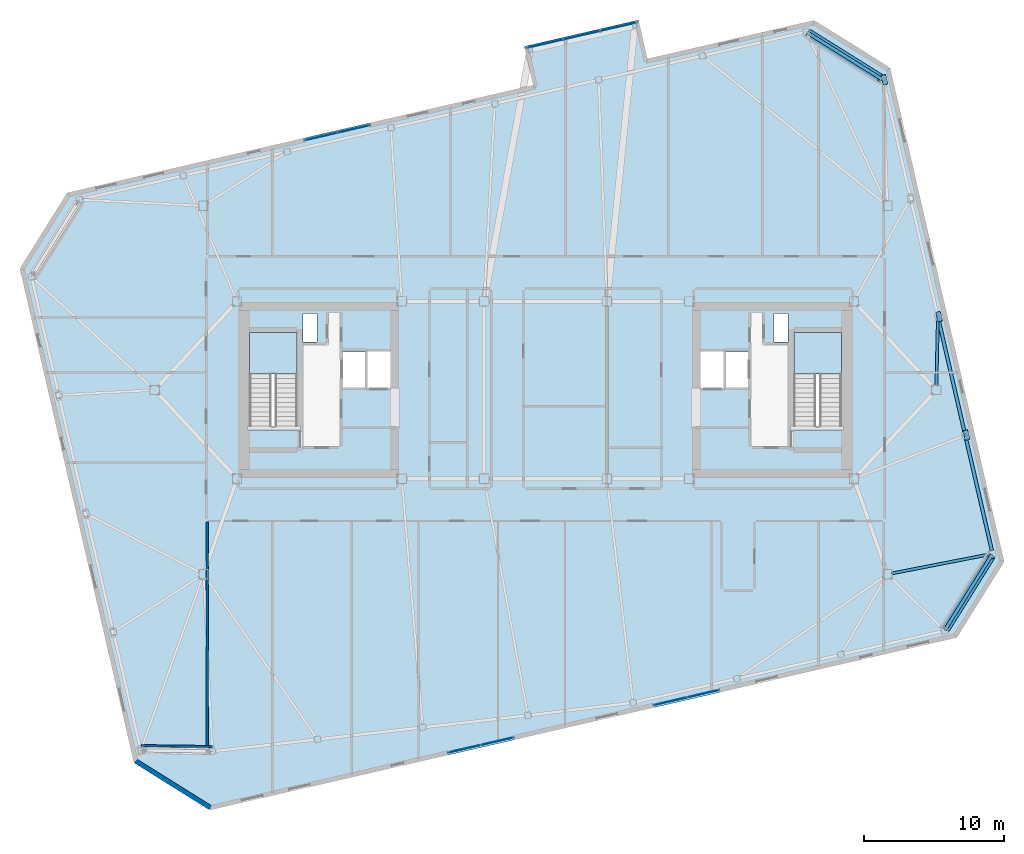
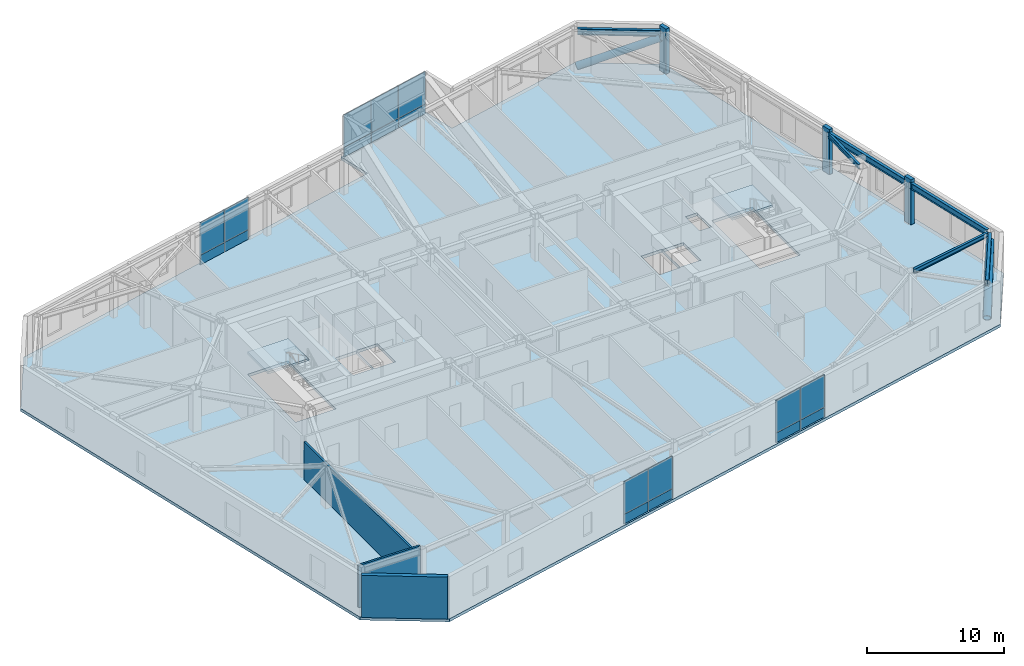
# One storey, part 16 of 24: 18 plates, 6 beams, 5 members, 3 slabs, 3 walls, 6 elements without a shape of their own.
"""IFC4 building model written with IfcOpenShell, lengths in metres."""

from ifc_helpers import new_model, si_unit, direction, frame, frame_2d, origin, origin_2d, place, context, subcontext, project, spatial, polyline, rectangle, hollow_circle, i_section, outline, extrude, material, layer, layer_set, material_profile, profile_set, type_object, element, aggregate, save


model = new_model("IFC4")

# Units and contexts
model_context = context("Model", 3, precision=1e-05, world=origin(), true_north=direction((0.0, 1.0)))
body_context = subcontext(model_context, "Body", "Model", "MODEL_VIEW")
ifc_project = project(units=[si_unit("LENGTHUNIT", "METRE"), si_unit("AREAUNIT", "SQUARE_METRE"), si_unit("VOLUMEUNIT", "CUBIC_METRE"), si_unit("PLANEANGLEUNIT", "RADIAN"), si_unit("MASSUNIT", "GRAM", prefix="KILO")], contexts=[model_context])

# Site, building, storey
site_placement = place(None, origin())
site = spatial("IfcSite", under=ifc_project, at=site_placement, CompositionType="ELEMENT")
building_placement = place(site_placement, origin())
building = spatial("IfcBuilding", under=site, at=building_placement, Name="Tavrogorsk Clinical Tower", CompositionType="ELEMENT")
storey_placement = place(building_placement, frame((0.0, 0.0, 309.0)))
storey = spatial("IfcBuildingStorey", under=building, at=storey_placement, Name="L72", CompositionType="ELEMENT", Elevation=309.0)

# Members
ifc_material_1 = material(Name="Structural steel S440", Category="steel")
ifc_material_profile_1 = material_profile(ifc_material_1, hollow_circle(Radius=0.304931640625, WallThickness=0.02490234375, at=origin_2d()), Name="CHS-610x25")
ifc_profile_set_1 = profile_set([ifc_material_profile_1], Name="Structural steel S440")
member_type_1 = type_object("IfcMemberType", Name="ExoBrace_CHS610", PredefinedType="BRACE", material=ifc_profile_set_1)
for number, where, z_axis, x_axis, name in (
    (1, (28.70166015625, -17.063720703125, 0.393310546875), (0.485685891885, 0.777193135924, 0.40010004236), (-0.848027637525, 0.529952003481, 0.0), "L72 Corner Exoskeleton Brace S8-E1"),
    (2, (18.86279296875, 25.55322265625, 0.393310546875), (0.777221605895, -0.485643868835, 0.400095748531), (0.529905066536, 0.848056967697, 0.0), "L72 Corner Exoskeleton Brace E5-N1"),
):
    element("IfcMember", number, at=place(storey_placement, frame(where, z_axis=z_axis, x_axis=x_axis)), inside=storey, type_object=member_type_1, Name=name, PredefinedType="BRACE", context=body_context, shape_type="SweptSolid", body=[
        extrude(hollow_circle(Radius=0.304931640625, WallThickness=0.02490234375, at=origin_2d()), origin(), (0.0, 0.0, 1.0), 6.63232421875),
    ])

# Beams
ifc_material_2 = material(Name="Structural steel S355", Category="steel")
ifc_material_profile_2 = material_profile(ifc_material_2, i_section(OverallWidth=0.199951171875, OverallDepth=0.39990234375, WebThickness=0.010498046875, FlangeThickness=0.01611328125, at=origin_2d()), Name="B-400x200x10.5x16")
ifc_profile_set_2 = profile_set([ifc_material_profile_2], Name="Structural steel S355")
beam_type_1 = type_object("IfcBeamType", Name="FloorBeam_B400", PredefinedType="BEAM", material=ifc_profile_set_2)
beam_1_placement = place(storey_placement, frame((24.80419921875, -13.140625, 3.5400390625), z_axis=(0.981451198395, 0.191712141424, 0.0), x_axis=(-0.191712141424, 0.981451198395, 0.0)))
element("IfcBeam", 3, at=beam_1_placement, inside=storey, type_object=beam_type_1, Name="L72 Radial Floor Beam E1", PredefinedType="BEAM", context=body_context, shape_type="SweptSolid", body=[
    extrude(i_section(OverallWidth=0.199951171875, OverallDepth=0.39990234375, WebThickness=0.010498046875, FlangeThickness=0.01611328125, at=origin_2d()), origin(), (0.0, 0.0, 1.0), 7.13525390625),
])
beam_2_placement = place(storey_placement, frame((28.0068359375, 0.309814453125, 3.5400390625), z_axis=(0.022370062613, 0.999749758839, 0.0), x_axis=(-0.999749758839, 0.022370062613, 0.0)))
element("IfcBeam", 4, at=beam_2_placement, inside=storey, type_object=beam_type_1, Name="L72 Radial Floor Beam E3", PredefinedType="BEAM", context=body_context, shape_type="SweptSolid", body=[
    extrude(i_section(OverallWidth=0.199951171875, OverallDepth=0.39990234375, WebThickness=0.010498046875, FlangeThickness=0.01611328125, at=origin_2d()), origin(), (0.0, 0.0, 1.0), 4.703857421875),
])

# Members
ifc_material_3 = material(Name="Precast concrete B45 with limestone cladding", Category="masonry")
ifc_material_profile_3 = material_profile(ifc_material_3, rectangle(XDim=0.320068359375, YDim=0.719970703125, at=origin_2d()), Name="LIMESTONE-FIN-320x720")
ifc_profile_set_3 = profile_set([ifc_material_profile_3], Name="Precast concrete B45 with limestone cladding")
member_type_2 = type_object("IfcMemberType", Name="LimestonePleatFin_320x720", PredefinedType="USERDEFINED", material=ifc_profile_set_3)
for number, where, z_axis, x_axis, name in (
    (5, (30.154541015625, -3.223388671875, 0.0), (0.0, 0.0, 1.0), (0.974370064785, 0.224951054344, 0.0), "L72 E Pleated Stone Fin 1"),
    (6, (28.1953125, 5.263427734375, 0.0), (0.0, 0.0, 1.0), (0.974370064785, 0.224951054344, 0.0), "L72 E Pleated Stone Fin 2"),
    (7, (24.276611328125, 22.237060546875, 0.0), (0.0, 0.0, 1.0), (0.974370064785, 0.224951054344, 0.0), "L72 E Pleated Stone Fin 4"),
):
    element("IfcMember", number, at=place(storey_placement, frame(where, z_axis=z_axis, x_axis=x_axis)), inside=storey, type_object=member_type_2, Name=name, ObjectType="FIN", PredefinedType="USERDEFINED", context=body_context, shape_type="SweptSolid", body=[
        extrude(rectangle(XDim=0.320068359375, YDim=0.719970703125, at=origin_2d()), origin(), (0.0, 0.0, 1.0), 4.0),
    ])

# Beams
ifc_material_4 = material(Name="Structural steel S390", Category="steel")
ifc_material_profile_4 = material_profile(ifc_material_4, i_section(OverallWidth=0.239990234375, OverallDepth=0.550048828125, WebThickness=0.013916015625, FlangeThickness=0.02197265625, at=origin_2d()), Name="B-550x240x14x22")
ifc_profile_set_4 = profile_set([ifc_material_profile_4], Name="Structural steel S390")
beam_type_2 = type_object("IfcBeamType", Name="SpandrelBeam_B550", PredefinedType="SPANDREL", material=ifc_profile_set_4)
beam_3_placement = place(storey_placement, frame((28.712158203125, -17.04736328125, 3.465087890625), z_axis=(0.529904457892, 0.848057348006, 0.0), x_axis=(-0.848057348006, 0.529904457892, 0.0)))
element("IfcBeam", 8, at=beam_3_placement, inside=storey, type_object=beam_type_2, Name="L72 Perimeter Spandrel S8-E1", PredefinedType="SPANDREL", context=body_context, shape_type="SweptSolid", body=[
    extrude(i_section(OverallWidth=0.239990234375, OverallDepth=0.550048828125, WebThickness=0.013916015625, FlangeThickness=0.02197265625, at=origin_2d()), origin(), (0.0, 0.0, 1.0), 6.039306640625),
])
for number, where, z_axis, x_axis, name in (
    (9, (31.9833984375, -11.5009765625, 3.465087890625), (-0.224950345141, 0.974370228517, 0.0), (-0.974370228517, -0.224950345141, 0.0), "L72 Perimeter Spandrel E1-E2"),
    (10, (30.024169921875, -3.01416015625, 3.465087890625), (-0.224950345141, 0.974370228517, 0.0), (-0.974370228517, -0.224950345141, 0.0), "L72 Perimeter Spandrel E2-E3"),
):
    element("IfcBeam", number, at=place(storey_placement, frame(where, z_axis=z_axis, x_axis=x_axis)), inside=storey, type_object=beam_type_2, Name=name, PredefinedType="SPANDREL", context=body_context, shape_type="SweptSolid", body=[
        extrude(i_section(OverallWidth=0.239990234375, OverallDepth=0.550048828125, WebThickness=0.013916015625, FlangeThickness=0.02197265625, at=origin_2d()), origin(), (0.0, 0.0, 1.0), 8.243896484375),
    ])
beam_4_placement = place(storey_placement, frame((24.0009765625, 22.342529296875, 3.465087890625), z_axis=(-0.848057348006, 0.529904457892, 0.0), x_axis=(-0.529904457892, -0.848057348006, 0.0)))
element("IfcBeam", 11, at=beam_4_placement, inside=storey, type_object=beam_type_2, Name="L72 Perimeter Spandrel E5-N1", PredefinedType="SPANDREL", context=body_context, shape_type="SweptSolid", body=[
    extrude(i_section(OverallWidth=0.239990234375, OverallDepth=0.550048828125, WebThickness=0.013916015625, FlangeThickness=0.02197265625, at=origin_2d()), origin(), (0.0, 0.0, 1.0), 6.039306640625),
])

# Curtain wall, plates
ifc_material_5 = material(Name="Anodised aluminium and triple IGU glazing", Category="aluminium")
ifc_layer_1 = layer(ifc_material_5, 0.179931640625)
ifc_layer_set_1 = layer_set([ifc_layer_1], Name="Anodised aluminium and triple IGU glazing")
curtain_wall_type_1 = type_object("IfcCurtainWallType", Name="CW3_SouthSlot", PredefinedType="NOTDEFINED", material=ifc_layer_set_1)
curtain_wall_1_placement = place(storey_placement, origin())
curtain_wall_1 = element("IfcCurtainWall", 12, at=curtain_wall_1_placement, inside=storey, type_object=curtain_wall_type_1, Name="L72 Curtain Wall CW-L72-S-SLOT-1", PredefinedType="NOTDEFINED")
ifc_material_6 = material(Name="Honed Podolsk limestone spandrel panel", Category="masonry")
ifc_layer_2 = layer(ifc_material_6, 0.080078125)
ifc_layer_set_2 = layer_set([ifc_layer_2], Name="Honed Podolsk limestone spandrel panel")
plate_type_1 = type_object("IfcPlateType", Name="CwSpandrelStonePanel_80", PredefinedType="CURTAIN_PANEL", material=ifc_layer_set_2)
plate_1_placement = place(storey_placement, frame((-5.810546875, -25.7099609375, 0.001953125), z_axis=(0.0, 0.0, 1.0), x_axis=(0.974370057377, 0.224951086434, 0.0)))
plate_1 = element("IfcPlate", 13, at=plate_1_placement, type_object=plate_type_1, Name="CW-L72-S-SLOT-1 Stone Spandrel Panel 1", PredefinedType="CURTAIN_PANEL", context=body_context, shape_type="SweptSolid", body=[
    extrude(rectangle(XDim=2.39208984375, YDim=0.080078125, at=origin_2d()), origin(), (0.0, 0.0, 1.0), 0.8359375),
])
plate_2_placement = place(storey_placement, frame((-3.45654296875, -25.16650390625, 0.001953125), z_axis=(0.0, 0.0, 1.0), x_axis=(0.974370057377, 0.224951086434, 0.0)))
plate_2 = element("IfcPlate", 14, at=plate_2_placement, type_object=plate_type_1, Name="CW-L72-S-SLOT-1 Stone Spandrel Panel 2", PredefinedType="CURTAIN_PANEL", context=body_context, shape_type="SweptSolid", body=[
    extrude(rectangle(XDim=2.39208984375, YDim=0.080078125, at=origin_2d()), origin(), (0.0, 0.0, 1.0), 0.8359375),
])

curtain_wall_2_placement = place(storey_placement, origin())
curtain_wall_2 = element("IfcCurtainWall", 15, at=curtain_wall_2_placement, inside=storey, type_object=curtain_wall_type_1, Name="L72 Curtain Wall CW-L72-S-SLOT-2", PredefinedType="NOTDEFINED")
plate_3_placement = place(storey_placement, frame((8.9296875, -22.306884765625, 0.001953125), z_axis=(0.0, 0.0, 1.0), x_axis=(0.974370057377, 0.224951086434, 0.0)))
plate_3 = element("IfcPlate", 16, at=plate_3_placement, type_object=plate_type_1, Name="CW-L72-S-SLOT-2 Stone Spandrel Panel 1", PredefinedType="CURTAIN_PANEL", context=body_context, shape_type="SweptSolid", body=[
    extrude(rectangle(XDim=2.39208984375, YDim=0.080078125, at=origin_2d()), origin(), (0.0, 0.0, 1.0), 0.8359375),
])
plate_4_placement = place(storey_placement, frame((11.28369140625, -21.763427734375, 0.001953125), z_axis=(0.0, 0.0, 1.0), x_axis=(0.974370057377, 0.224951086434, 0.0)))
plate_4 = element("IfcPlate", 17, at=plate_4_placement, type_object=plate_type_1, Name="CW-L72-S-SLOT-2 Stone Spandrel Panel 2", PredefinedType="CURTAIN_PANEL", context=body_context, shape_type="SweptSolid", body=[
    extrude(rectangle(XDim=2.39208984375, YDim=0.080078125, at=origin_2d()), origin(), (0.0, 0.0, 1.0), 0.8359375),
])

ifc_material_7 = material(Name="Anodised aluminium and triple IGU glazing", Category="aluminium")
ifc_layer_3 = layer(ifc_material_7, 0.179931640625)
ifc_layer_set_3 = layer_set([ifc_layer_3], Name="Anodised aluminium and triple IGU glazing")
curtain_wall_type_2 = type_object("IfcCurtainWallType", Name="CW2_NorthSlot", PredefinedType="NOTDEFINED", material=ifc_layer_set_3)
curtain_wall_3_placement = place(storey_placement, origin())
curtain_wall_3 = element("IfcCurtainWall", 18, at=curtain_wall_3_placement, inside=storey, type_object=curtain_wall_type_2, Name="L72 Curtain Wall CW-L72-N-SLOT-1", PredefinedType="NOTDEFINED")
plate_5_placement = place(storey_placement, frame((-13.729736328125, 18.70703125, 0.001953125), z_axis=(0.0, 0.0, 1.0), x_axis=(-0.974370057377, -0.224951086434, 0.0)))
plate_5 = element("IfcPlate", 19, at=plate_5_placement, type_object=plate_type_1, Name="CW-L72-N-SLOT-1 Stone Spandrel Panel 1", PredefinedType="CURTAIN_PANEL", context=body_context, shape_type="SweptSolid", body=[
    extrude(rectangle(XDim=2.39208984375, YDim=0.080078125, at=origin_2d()), origin(), (0.0, 0.0, 1.0), 0.8359375),
])
plate_6_placement = place(storey_placement, frame((-16.083740234375, 18.16357421875, 0.001953125), z_axis=(0.0, 0.0, 1.0), x_axis=(-0.974370057377, -0.224951086434, 0.0)))
plate_6 = element("IfcPlate", 20, at=plate_6_placement, type_object=plate_type_1, Name="CW-L72-N-SLOT-1 Stone Spandrel Panel 2", PredefinedType="CURTAIN_PANEL", context=body_context, shape_type="SweptSolid", body=[
    extrude(rectangle(XDim=2.39208984375, YDim=0.080078125, at=origin_2d()), origin(), (0.0, 0.0, 1.0), 0.8359375),
])

ifc_material_8 = material(Name="Anodised aluminium and triple IGU glazing", Category="aluminium")
ifc_layer_4 = layer(ifc_material_8, 0.179931640625)
ifc_layer_set_4 = layer_set([ifc_layer_4], Name="Anodised aluminium and triple IGU glazing")
curtain_wall_type_3 = type_object("IfcCurtainWallType", Name="CW4_DayroomBox", PredefinedType="NOTDEFINED", material=ifc_layer_set_4)
curtain_wall_4_placement = place(storey_placement, origin())
curtain_wall_4 = element("IfcCurtainWall", 21, at=curtain_wall_4_placement, inside=storey, type_object=curtain_wall_type_3, Name="L72 Curtain Wall CW-DRB-10-L72", PredefinedType="NOTDEFINED")
plate_7_placement = place(storey_placement, frame((-0.0322265625, 24.814697265625, 0.001953125), z_axis=(0.0, 0.0, 1.0), x_axis=(0.974370055311, 0.224951095379, 0.0)))
plate_7 = element("IfcPlate", 22, at=plate_7_placement, type_object=plate_type_1, Name="CW-DRB-10-L72 Stone Spandrel Panel 1", PredefinedType="CURTAIN_PANEL", context=body_context, shape_type="SweptSolid", body=[
    extrude(rectangle(XDim=2.68798828125, YDim=0.080078125, at=origin_2d()), origin(), (0.0, 0.0, 1.0), 0.8359375),
])
plate_8_placement = place(storey_placement, frame((2.604248046875, 25.42333984375, 0.001953125), z_axis=(0.0, 0.0, 1.0), x_axis=(0.974370055311, 0.224951095379, 0.0)))
plate_8 = element("IfcPlate", 23, at=plate_8_placement, type_object=plate_type_1, Name="CW-DRB-10-L72 Stone Spandrel Panel 2", PredefinedType="CURTAIN_PANEL", context=body_context, shape_type="SweptSolid", body=[
    extrude(rectangle(XDim=2.676025390625, YDim=0.080078125, at=origin_2d()), origin(), (0.0, 0.0, 1.0), 0.8359375),
])
plate_9_placement = place(storey_placement, frame((5.240966796875, 26.0322265625, 0.001953125), z_axis=(0.0, 0.0, 1.0), x_axis=(0.974370055311, 0.224951095379, 0.0)))
plate_9 = element("IfcPlate", 24, at=plate_9_placement, type_object=plate_type_1, Name="CW-DRB-10-L72 Stone Spandrel Panel 3", PredefinedType="CURTAIN_PANEL", context=body_context, shape_type="SweptSolid", body=[
    extrude(rectangle(XDim=2.68798828125, YDim=0.080078125, at=origin_2d()), origin(), (0.0, 0.0, 1.0), 0.8359375),
])

# Plate
ifc_material_9 = material(Name="Triple low-E argon insulated glass", Category="glass")
ifc_layer_5 = layer(ifc_material_9, 0.048095703125)
ifc_layer_set_5 = layer_set([ifc_layer_5], Name="Triple low-E argon insulated glass")
plate_type_2 = type_object("IfcPlateType", Name="CwVisionGlassPanel_48", PredefinedType="CURTAIN_PANEL", material=ifc_layer_set_5)
plate_10_placement = place(storey_placement, frame((-5.810546875, -25.7099609375, 0.862060546875), z_axis=(0.0, 0.0, 1.0), x_axis=(0.974370057377, 0.224951086434, 0.0)))
plate_10 = element("IfcPlate", 25, at=plate_10_placement, type_object=plate_type_2, Name="CW-L72-S-SLOT-1 Glazing Panel 1", PredefinedType="CURTAIN_PANEL", context=body_context, shape_type="SweptSolid", body=[
    extrude(rectangle(XDim=2.39208984375, YDim=0.048095703125, at=origin_2d()), origin(), (0.0, 0.0, 1.0), 2.8759765625),
])

plate_11_placement = place(storey_placement, frame((-3.45654296875, -25.16650390625, 0.862060546875), z_axis=(0.0, 0.0, 1.0), x_axis=(0.974370057377, 0.224951086434, 0.0)))
plate_11 = element("IfcPlate", 26, at=plate_11_placement, type_object=plate_type_2, Name="CW-L72-S-SLOT-1 Glazing Panel 2", PredefinedType="CURTAIN_PANEL", context=body_context, shape_type="SweptSolid", body=[
    extrude(rectangle(XDim=2.39208984375, YDim=0.048095703125, at=origin_2d()), origin(), (0.0, 0.0, 1.0), 2.8759765625),
])

aggregate(curtain_wall_1, [plate_1, plate_10, plate_2, plate_11])

plate_12_placement = place(storey_placement, frame((8.9296875, -22.306884765625, 0.862060546875), z_axis=(0.0, 0.0, 1.0), x_axis=(0.974370057377, 0.224951086434, 0.0)))
plate_12 = element("IfcPlate", 27, at=plate_12_placement, type_object=plate_type_2, Name="CW-L72-S-SLOT-2 Glazing Panel 1", PredefinedType="CURTAIN_PANEL", context=body_context, shape_type="SweptSolid", body=[
    extrude(rectangle(XDim=2.39208984375, YDim=0.048095703125, at=origin_2d()), origin(), (0.0, 0.0, 1.0), 2.8759765625),
])

plate_13_placement = place(storey_placement, frame((11.28369140625, -21.763427734375, 0.862060546875), z_axis=(0.0, 0.0, 1.0), x_axis=(0.974370057377, 0.224951086434, 0.0)))
plate_13 = element("IfcPlate", 28, at=plate_13_placement, type_object=plate_type_2, Name="CW-L72-S-SLOT-2 Glazing Panel 2", PredefinedType="CURTAIN_PANEL", context=body_context, shape_type="SweptSolid", body=[
    extrude(rectangle(XDim=2.39208984375, YDim=0.048095703125, at=origin_2d()), origin(), (0.0, 0.0, 1.0), 2.8759765625),
])

aggregate(curtain_wall_2, [plate_3, plate_12, plate_4, plate_13])

plate_14_placement = place(storey_placement, frame((-13.729736328125, 18.70703125, 0.862060546875), z_axis=(0.0, 0.0, 1.0), x_axis=(-0.974370057377, -0.224951086434, 0.0)))
plate_14 = element("IfcPlate", 29, at=plate_14_placement, type_object=plate_type_2, Name="CW-L72-N-SLOT-1 Glazing Panel 1", PredefinedType="CURTAIN_PANEL", context=body_context, shape_type="SweptSolid", body=[
    extrude(rectangle(XDim=2.39208984375, YDim=0.048095703125, at=origin_2d()), origin(), (0.0, 0.0, 1.0), 2.8759765625),
])

plate_15_placement = place(storey_placement, frame((-16.083740234375, 18.16357421875, 0.862060546875), z_axis=(0.0, 0.0, 1.0), x_axis=(-0.974370057377, -0.224951086434, 0.0)))
plate_15 = element("IfcPlate", 30, at=plate_15_placement, type_object=plate_type_2, Name="CW-L72-N-SLOT-1 Glazing Panel 2", PredefinedType="CURTAIN_PANEL", context=body_context, shape_type="SweptSolid", body=[
    extrude(rectangle(XDim=2.39208984375, YDim=0.048095703125, at=origin_2d()), origin(), (0.0, 0.0, 1.0), 2.8759765625),
])

aggregate(curtain_wall_3, [plate_5, plate_14, plate_6, plate_15])

plate_16_placement = place(storey_placement, frame((-0.0322265625, 24.814697265625, 0.862060546875), z_axis=(0.0, 0.0, 1.0), x_axis=(0.974370055311, 0.224951095379, 0.0)))
plate_16 = element("IfcPlate", 31, at=plate_16_placement, type_object=plate_type_2, Name="CW-DRB-10-L72 Glazing Panel 1", PredefinedType="CURTAIN_PANEL", context=body_context, shape_type="SweptSolid", body=[
    extrude(rectangle(XDim=2.68798828125, YDim=0.048095703125, at=origin_2d()), origin(), (0.0, 0.0, 1.0), 2.8759765625),
])

plate_17_placement = place(storey_placement, frame((2.604248046875, 25.42333984375, 0.862060546875), z_axis=(0.0, 0.0, 1.0), x_axis=(0.974370055311, 0.224951095379, 0.0)))
plate_17 = element("IfcPlate", 32, at=plate_17_placement, type_object=plate_type_2, Name="CW-DRB-10-L72 Glazing Panel 2", PredefinedType="CURTAIN_PANEL", context=body_context, shape_type="SweptSolid", body=[
    extrude(rectangle(XDim=2.676025390625, YDim=0.048095703125, at=origin_2d()), origin(), (0.0, 0.0, 1.0), 2.8759765625),
])

plate_18_placement = place(storey_placement, frame((5.240966796875, 26.0322265625, 0.862060546875), z_axis=(0.0, 0.0, 1.0), x_axis=(0.974370055311, 0.224951095379, 0.0)))
plate_18 = element("IfcPlate", 33, at=plate_18_placement, type_object=plate_type_2, Name="CW-DRB-10-L72 Glazing Panel 3", PredefinedType="CURTAIN_PANEL", context=body_context, shape_type="SweptSolid", body=[
    extrude(rectangle(XDim=2.68798828125, YDim=0.048095703125, at=origin_2d()), origin(), (0.0, 0.0, 1.0), 2.8759765625),
])

aggregate(curtain_wall_4, [plate_7, plate_16, plate_8, plate_17, plate_9, plate_18])

# Stair, slab
ifc_material_10 = material(Name="Concrete B60", Category="concrete")
stair_type = type_object("IfcStairType", Name="CoreStairAssembly", PredefinedType="HALF_TURN_STAIR", material=ifc_material_10)
stair_1_placement = place(storey_placement, origin())
stair_1 = element("IfcStair", 34, at=stair_1_placement, inside=storey, type_object=stair_type, Name="L72 ST-W", PredefinedType="HALF_TURN_STAIR")
ifc_material_11 = material(Name="Concrete B60", Category="concrete")
ifc_layer_6 = layer(ifc_material_11, 0.199951171875)
ifc_layer_set_6 = layer_set([ifc_layer_6], Name="Concrete B60")
slab_type_1 = type_object("IfcSlabType", Name="StairLanding_200", PredefinedType="LANDING", material=ifc_layer_set_6)
slab_1_placement = place(storey_placement, frame((0.0, 0.0, 1.800048828125)))
slab_1 = element("IfcSlab", 35, at=slab_1_placement, type_object=slab_type_1, Name="ST-W landing 1", PredefinedType="LANDING", context=body_context, shape_type="SweptSolid", body=[
    extrude(outline(polyline([(-17.800048828125, 1.1650390625), (-17.800048828125, 4.125), (-21.199951171875, 4.125), (-21.199951171875, 1.1650390625), (-17.800048828125, 1.1650390625)])), origin(), (0.0, 0.0, 1.0), 0.199951171875),
])
aggregate(stair_1, [slab_1])

stair_2_placement = place(storey_placement, origin())
stair_2 = element("IfcStair", 36, at=stair_2_placement, inside=storey, type_object=stair_type, Name="L72 ST-E", PredefinedType="HALF_TURN_STAIR")
slab_2_placement = place(storey_placement, frame((0.0, 0.0, 1.800048828125)))
slab_2 = element("IfcSlab", 37, at=slab_2_placement, type_object=slab_type_1, Name="ST-E landing 1", PredefinedType="LANDING", context=body_context, shape_type="SweptSolid", body=[
    extrude(outline(polyline([(21.199951171875, 1.1650390625), (21.199951171875, 4.125), (17.800048828125, 4.125), (17.800048828125, 1.1650390625), (21.199951171875, 1.1650390625)])), origin(), (0.0, 0.0, 1.0), 0.199951171875),
])
aggregate(stair_2, [slab_2])

# Slab
ifc_material_12 = material(Name="Concrete B60", Category="concrete")
ifc_layer_7 = layer(ifc_material_12, 0.260009765625)
ifc_layer_set_7 = layer_set([ifc_layer_7], Name="Concrete B60")
slab_type_2 = type_object("IfcSlabType", Name="WardSlab_260", PredefinedType="FLOOR", material=ifc_layer_set_7)
slab_3_placement = place(storey_placement, frame((0.0, 0.0, -0.260009765625)))
element("IfcSlab", 38, at=slab_3_placement, inside=storey, type_object=slab_type_2, Name="L72 Structural Slab", PredefinedType="FLOOR", context=body_context, shape_type="SweptSolid", body=[
    extrude(outline(polyline([(19.19140625, 26.48193359375), (24.708251953125, 23.034423828125), (32.8515625, -12.23779296875), (29.404052734375, -17.75439453125), (-23.991455078125, -30.081787109375), (-29.50830078125, -26.634521484375), (-37.651611328125, 8.6376953125), (-34.2041015625, 14.154541015625), (-0.880615234375, 21.847900390625), (-1.521728515625, 24.624755859375), (6.662841796875, 26.514404296875), (7.303955078125, 23.737548828125), (19.19140625, 26.48193359375)]), holes=[polyline([(-17.800048828125, -2.8798828125), (-17.800048828125, 4.125), (-21.199951171875, 4.125), (-21.199951171875, -2.8798828125), (-17.800048828125, -2.8798828125)]), polyline([(21.199951171875, -2.8798828125), (21.199951171875, 4.125), (17.800048828125, 4.125), (17.800048828125, -2.8798828125), (21.199951171875, -2.8798828125)]), polyline([(-14.6201171875, 0.169921875), (-12.860107421875, 0.169921875), (-12.860107421875, 2.72998046875), (-14.6201171875, 2.72998046875), (-14.6201171875, 0.169921875)]), polyline([(-12.840087890625, 0.1201171875), (-11.080078125, 0.1201171875), (-11.080078125, 2.780029296875), (-12.840087890625, 2.780029296875), (-12.840087890625, 0.1201171875)]), polyline([(12.860107421875, 0.169921875), (14.6201171875, 0.169921875), (14.6201171875, 2.72998046875), (12.860107421875, 2.72998046875), (12.860107421875, 0.169921875)]), polyline([(11.080078125, 0.1201171875), (12.840087890625, 0.1201171875), (12.840087890625, 2.780029296875), (11.080078125, 2.780029296875), (11.080078125, 0.1201171875)]), polyline([(-17.3798828125, 3.449951171875), (-16.3798828125, 3.449951171875), (-16.3798828125, 5.5), (-17.3798828125, 5.5), (-17.3798828125, 3.449951171875)]), polyline([(16.3798828125, 3.449951171875), (17.3798828125, 3.449951171875), (17.3798828125, 5.5), (16.3798828125, 5.5), (16.3798828125, 3.449951171875)])]), origin(), (0.0, 0.0, 1.0), 0.260009765625),
])

# Walls
ifc_material_13 = material(Name="Lightweight concrete blockwork B15", Category="masonry")
ifc_layer_8 = layer(ifc_material_13, 0.159912109375)
ifc_layer_set_8 = layer_set([ifc_layer_8], Name="Lightweight concrete blockwork B15")
wall_type_1 = type_object("IfcWallType", Name="PartitionWall_160", PredefinedType="PARTITIONING", material=ifc_layer_set_8)
wall_1_placement = place(storey_placement, frame((-28.994140625, -25.47900390625, 0.0), z_axis=(0.0, 0.0, 1.0), x_axis=(0.999915052546, -0.01303409726, 0.0)))
element("IfcWall", 39, at=wall_1_placement, inside=storey, type_object=wall_type_1, Name="L72 Corner Exoskeleton Brace Furring Wall 4", PredefinedType="PARTITIONING", context=body_context, shape_type="SweptSolid", body=[
    extrude(rectangle(XDim=5.13232421875, YDim=0.159912109375, at=frame_2d((2.566162109375, 0.0))), origin(), (0.0, 0.0, 1.0), 3.739990234375),
])
wall_2_placement = place(storey_placement, frame((-24.22998046875, -25.535888671875, 0.0), z_axis=(0.0, 0.0, 1.0), x_axis=(0.0, 1.0, 0.0)))
element("IfcWall", 40, at=wall_2_placement, inside=storey, type_object=wall_type_1, Name="L72 SW Wing Closure Partition", PredefinedType="PARTITIONING", context=body_context, shape_type="SweptSolid", body=[
    extrude(rectangle(XDim=16.07080078125, YDim=0.159912109375, at=frame_2d((8.035400390625, 0.0))), origin(), (0.0, 0.0, 1.0), 3.3349609375),
])
ifc_material_14 = material(Name="Precast concrete B45 with limestone cladding", Category="masonry")
ifc_layer_9 = layer(ifc_material_14, 0.340087890625)
ifc_layer_set_9 = layer_set([ifc_layer_9], Name="Precast concrete B45 with limestone cladding")
wall_type_2 = type_object("IfcWallType", Name="PrecastLimestoneWall_340", PredefinedType="STANDARD", material=ifc_layer_set_9)
wall_3_placement = place(storey_placement, frame((-29.342529296875, -26.59619140625, 0.0), z_axis=(0.0, 0.0, 1.0), x_axis=(0.848037708252, -0.529935887993, 0.0)))
element("IfcWall", 41, at=wall_3_placement, inside=storey, type_object=wall_type_2, Name="L72 Chamfered Corner Wall 4", PredefinedType="STANDARD", context=body_context, shape_type="SweptSolid", body=[
    extrude(rectangle(XDim=6.26513671875, YDim=0.340087890625, at=frame_2d((3.132568359375, 0.0))), origin(), (0.0, 0.0, 1.0), 3.739990234375),
])

save(model, "model.ifc")
